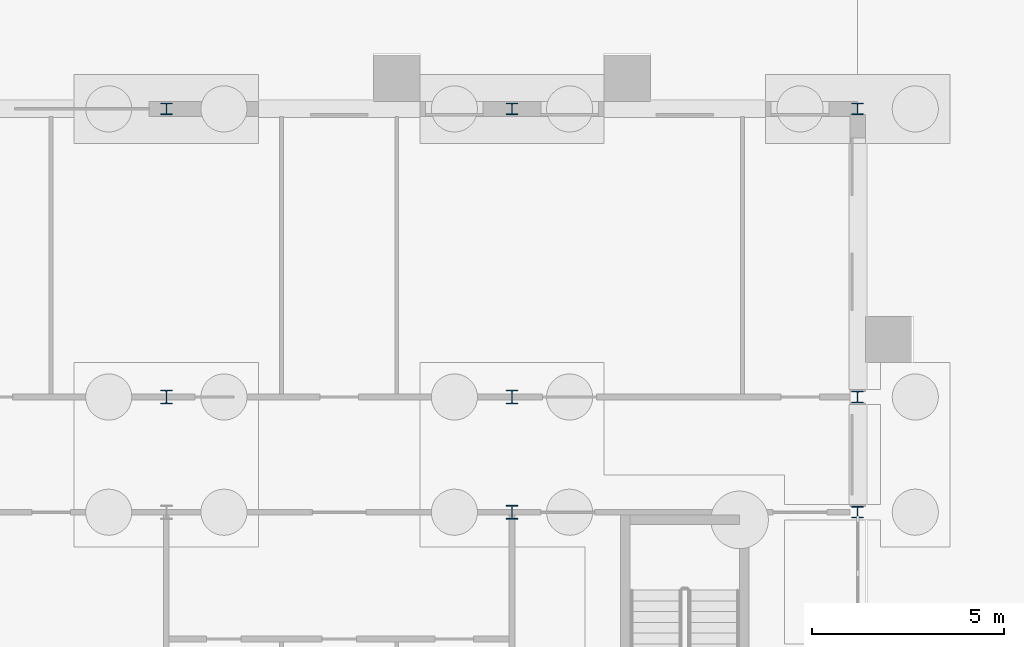
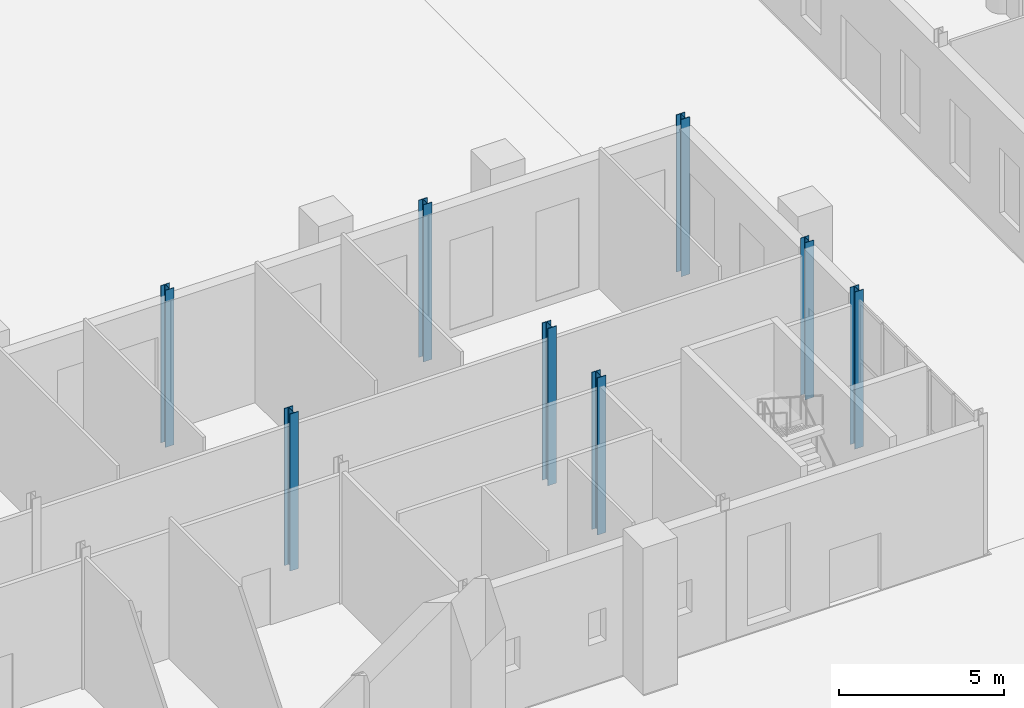
# One storey, part 21 of 168: 8 columns.
"""IFC4 building model written with IfcOpenShell, lengths in metres."""

from ifc_helpers import new_model, si_unit, direction, frame, origin, origin_2d, place, context, subcontext, project, spatial, i_section, extrude, material, material_profile, profile_set, type_object, element, save


model = new_model("IFC4")

# Units and contexts
model_context = context("Model", 3, precision=1e-05, world=origin(), true_north=direction((0.0, 1.0)))
body_context = subcontext(model_context, "Body", "Model", "MODEL_VIEW")
ifc_project = project(units=[si_unit("LENGTHUNIT", "METRE"), si_unit("AREAUNIT", "SQUARE_METRE"), si_unit("VOLUMEUNIT", "CUBIC_METRE"), si_unit("PLANEANGLEUNIT", "RADIAN"), si_unit("MASSUNIT", "GRAM", prefix="KILO")], contexts=[model_context])

# Site, building, storey
site_placement = place(None, origin())
site = spatial("IfcSite", under=ifc_project, at=site_placement, CompositionType="ELEMENT")
building_placement = place(site_placement, origin())
building = spatial("IfcBuilding", under=site, at=building_placement, Name="Golden Quay Civic Hall", CompositionType="ELEMENT")
storey_placement = place(building_placement, origin())
storey = spatial("IfcBuildingStorey", under=building, at=storey_placement, Name="L00", CompositionType="ELEMENT", Elevation=0.0)

# Columns
ifc_material_1 = material(Name="Steel S355", Category="steel")
ifc_material_profile_1 = material_profile(ifc_material_1, i_section(OverallWidth=0.300048828125, OverallDepth=0.300048828125, WebThickness=0.010986328125, FlangeThickness=0.01904296875, FilletRadius=0.027099609375, at=origin_2d()), Name="HEB 300")
ifc_profile_set_1 = profile_set([ifc_material_profile_1], Name="Steel S355")
column_type_1 = type_object("IfcColumnType", Name="Steel column HEB 300", PredefinedType="COLUMN", material=ifc_profile_set_1)
for number, where, z_axis, x_axis, name in (
    (1, (36.0, 81.0, -0.60009765625), (0.0, 0.0, 1.0), (1.0, 0.0, 0.0), "Column 36/81 L00"),
    (2, (45.0, 81.0, -0.60009765625), (0.0, 0.0, 1.0), (1.0, 0.0, 0.0), "Column 45/81 L00"),
    (3, (54.0, 70.5, -0.60009765625), (0.0, 0.0, 1.0), (1.0, 0.0, 0.0), "Column 54/70.5 L00"),
    (4, (54.0, 73.5, -0.60009765625), (0.0, 0.0, 1.0), (1.0, 0.0, 0.0), "Column 54/73.5 L00"),
    (5, (54.0, 81.0, -0.60009765625), (0.0, 0.0, 1.0), (1.0, 0.0, 0.0), "Column 54/81 L00"),
):
    element("IfcColumn", number, at=place(storey_placement, frame(where, z_axis=z_axis, x_axis=x_axis)), inside=storey, type_object=column_type_1, Name=name, PredefinedType="COLUMN", context=body_context, shape_type="SweptSolid", body=[
        extrude(i_section(OverallWidth=0.300048828125, OverallDepth=0.300048828125, WebThickness=0.010986328125, FlangeThickness=0.01904296875, FilletRadius=0.027099609375, at=origin_2d()), origin(), (0.0, 0.0, 1.0), 5.800048828125),
    ])
ifc_material_2 = material(Name="Steel S355", Category="steel")
ifc_material_profile_2 = material_profile(ifc_material_2, i_section(OverallWidth=0.300048828125, OverallDepth=0.360107421875, WebThickness=0.012451171875, FlangeThickness=0.0224609375, FilletRadius=0.027099609375, at=origin_2d()), Name="HEB 360")
ifc_profile_set_2 = profile_set([ifc_material_profile_2], Name="Steel S355")
column_type_2 = type_object("IfcColumnType", Name="Steel column HEB 360", PredefinedType="COLUMN", material=ifc_profile_set_2)
for number, where, z_axis, x_axis, name in (
    (6, (36.0, 73.5, -0.60009765625), (0.0, 0.0, 1.0), (1.0, 0.0, 0.0), "Column 36/73.5 L00"),
    (7, (45.0, 70.5, -0.60009765625), (0.0, 0.0, 1.0), (1.0, 0.0, 0.0), "Column 45/70.5 L00"),
    (8, (45.0, 73.5, -0.60009765625), (0.0, 0.0, 1.0), (1.0, 0.0, 0.0), "Column 45/73.5 L00"),
):
    element("IfcColumn", number, at=place(storey_placement, frame(where, z_axis=z_axis, x_axis=x_axis)), inside=storey, type_object=column_type_2, Name=name, PredefinedType="COLUMN", context=body_context, shape_type="SweptSolid", body=[
        extrude(i_section(OverallWidth=0.300048828125, OverallDepth=0.360107421875, WebThickness=0.012451171875, FlangeThickness=0.0224609375, FilletRadius=0.027099609375, at=origin_2d()), origin(), (0.0, 0.0, 1.0), 5.800048828125),
    ])

save(model, "model.ifc")
